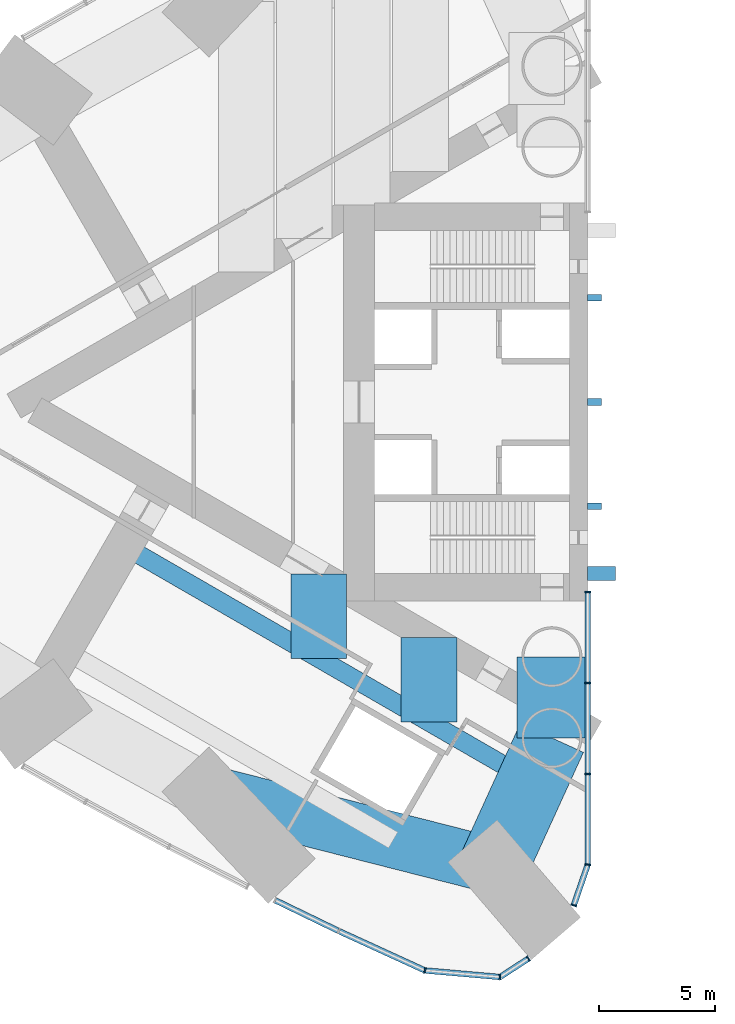
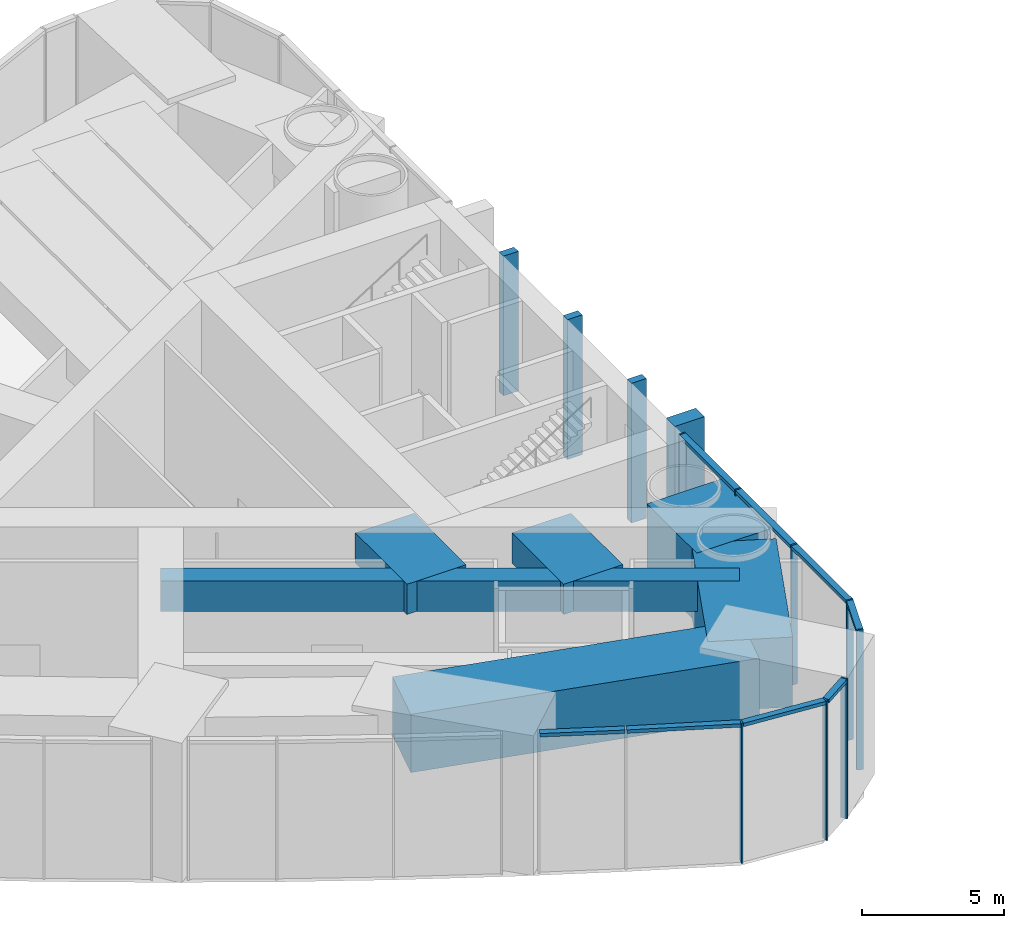
# One storey, part 4 of 16: 20 members, 6 beams, 2 elements without a shape of their own.
"""IFC4 building model written with IfcOpenShell, lengths in metres."""

from ifc_helpers import new_model, si_unit, direction, frame, origin, origin_2d, place, context, subcontext, project, spatial, rectangle, hollow_rectangle, extrude, material, material_profile, profile_set, type_object, element, aggregate, save


model = new_model("IFC4")

# Units and contexts
model_context = context("Model", 3, precision=1e-05, world=origin(), true_north=direction((0.0, 1.0)))
body_context = subcontext(model_context, "Body", "Model", "MODEL_VIEW")
ifc_project = project(units=[si_unit("LENGTHUNIT", "METRE"), si_unit("AREAUNIT", "SQUARE_METRE"), si_unit("VOLUMEUNIT", "CUBIC_METRE"), si_unit("PLANEANGLEUNIT", "RADIAN"), si_unit("MASSUNIT", "GRAM", prefix="KILO")], contexts=[model_context])

# Site, building, storey
site_placement = place(None, origin())
site = spatial("IfcSite", under=ifc_project, at=site_placement, CompositionType="ELEMENT")
building_placement = place(site_placement, origin())
building = spatial("IfcBuilding", under=site, at=building_placement, Name="Lancet Gate Hotel", CompositionType="ELEMENT")
storey_placement = place(building_placement, frame((0.0, 0.0, 146.699951171875)))
storey = spatial("IfcBuildingStorey", under=building, at=storey_placement, Name="L39", CompositionType="ELEMENT", Elevation=146.699951171875)

# Curtain wall, members
ifc_material_1 = material(Name="Aluminium curtain wall", Category="aluminium")
curtain_wall_type = type_object("IfcCurtainWallType", Name="Refuge storey louvred curtain wall", PredefinedType="USERDEFINED", material=ifc_material_1)
curtain_wall_1_placement = place(storey_placement, origin())
curtain_wall_1 = element("IfcCurtainWall", 1, at=curtain_wall_1_placement, inside=storey, type_object=curtain_wall_type, Name="T1 L39 curtain wall 9", ObjectType="LANTERN GLAZING", PredefinedType="USERDEFINED")
ifc_material_2 = material(Name="Aluminium mullion", Category="aluminium")
ifc_material_profile_1 = material_profile(ifc_material_2, rectangle(XDim=0.06494140625, YDim=0.25, at=origin_2d()), Name="MULLION 65x250")
ifc_profile_set_1 = profile_set([ifc_material_profile_1], Name="Aluminium mullion")
member_type_1 = type_object("IfcMemberType", Name="Aluminium mullion 65x250", PredefinedType="MULLION", material=ifc_profile_set_1)
member_1_placement = place(storey_placement, frame((-34.5322265625, -24.53955078125, 0.0), z_axis=(0.0, 0.0, 1.0), x_axis=(0.961653318232, -0.27426792655, 0.0)))
member_1 = element("IfcMember", 2, at=member_1_placement, type_object=member_type_1, Name="T1 L39 curtain wall 9 mullion 3", PredefinedType="MULLION", context=body_context, shape_type="SweptSolid", body=[
    extrude(rectangle(XDim=0.06494140625, YDim=0.25, at=origin_2d()), origin(), (0.0, 0.0, 1.0), 6.0),
])
member_2_placement = place(storey_placement, frame((-31.289306640625, -24.822265625, 0.0), z_axis=(0.0, 0.0, 1.0), x_axis=(0.993425149786, 0.114483500005, 0.0)))
member_2 = element("IfcMember", 3, at=member_2_placement, type_object=member_type_1, Name="T1 L39 curtain wall 9 mullion 4", PredefinedType="MULLION", context=body_context, shape_type="SweptSolid", body=[
    extrude(rectangle(XDim=0.06494140625, YDim=0.25, at=origin_2d()), origin(), (0.0, 0.0, 1.0), 6.0),
])
member_3_placement = place(storey_placement, frame((-30.060791015625, -24.024169921875, 0.0), z_axis=(0.0, 0.0, 1.0), x_axis=(0.838580121261, 0.544778285385, 0.0)))
member_3 = element("IfcMember", 4, at=member_3_placement, type_object=member_type_1, Name="T1 L39 curtain wall 9 mullion 5", PredefinedType="MULLION", context=body_context, shape_type="SweptSolid", body=[
    extrude(rectangle(XDim=0.06494140625, YDim=0.25, at=origin_2d()), origin(), (0.0, 0.0, 1.0), 6.0),
])

curtain_wall_2_placement = place(storey_placement, origin())
curtain_wall_2 = element("IfcCurtainWall", 5, at=curtain_wall_2_placement, inside=storey, type_object=curtain_wall_type, Name="T1 L39 curtain wall 10", ObjectType="LANTERN GLAZING", PredefinedType="USERDEFINED")
member_4_placement = place(storey_placement, frame((-28.104736328125, -21.727783203125, 0.0), z_axis=(0.0, 0.0, 1.0), x_axis=(0.325515820766, 0.945536593914, 0.0)))
member_4 = element("IfcMember", 6, at=member_4_placement, type_object=member_type_1, Name="T1 L39 curtain wall 10 mullion 1", PredefinedType="MULLION", context=body_context, shape_type="SweptSolid", body=[
    extrude(rectangle(XDim=0.06494140625, YDim=0.25, at=origin_2d()), origin(), (0.0, 0.0, 1.0), 6.0),
])
member_5_placement = place(storey_placement, frame((-27.5, -19.97119140625, 0.0), z_axis=(0.0, 0.0, 1.0), x_axis=(0.105863115284, 0.994380712214, 0.0)))
member_5 = element("IfcMember", 7, at=member_5_placement, type_object=member_type_1, Name="T1 L39 curtain wall 10 mullion 2", PredefinedType="MULLION", context=body_context, shape_type="SweptSolid", body=[
    extrude(rectangle(XDim=0.06494140625, YDim=0.25, at=origin_2d()), origin(), (0.0, 0.0, 1.0), 6.0),
])
member_6_placement = place(storey_placement, frame((-27.5, -16.04736328125, 0.0), z_axis=(0.0, 0.0, 1.0), x_axis=(0.0, 1.0, 0.0)))
member_6 = element("IfcMember", 8, at=member_6_placement, type_object=member_type_1, Name="T1 L39 curtain wall 10 mullion 3", PredefinedType="MULLION", context=body_context, shape_type="SweptSolid", body=[
    extrude(rectangle(XDim=0.06494140625, YDim=0.25, at=origin_2d()), origin(), (0.0, 0.0, 1.0), 6.0),
])
member_7_placement = place(storey_placement, frame((-27.5, -12.123779296875, 0.0), z_axis=(0.0, 0.0, 1.0), x_axis=(0.0, 1.0, 0.0)))
member_7 = element("IfcMember", 9, at=member_7_placement, type_object=member_type_1, Name="T1 L39 curtain wall 10 mullion 4", PredefinedType="MULLION", context=body_context, shape_type="SweptSolid", body=[
    extrude(rectangle(XDim=0.06494140625, YDim=0.25, at=origin_2d()), origin(), (0.0, 0.0, 1.0), 6.0),
])
member_8_placement = place(storey_placement, frame((-27.5, -8.199951171875, 0.0), z_axis=(0.0, 0.0, 1.0), x_axis=(0.0, 1.0, 0.0)))
member_8 = element("IfcMember", 10, at=member_8_placement, type_object=member_type_1, Name="T1 L39 curtain wall 10 mullion 5", PredefinedType="MULLION", context=body_context, shape_type="SweptSolid", body=[
    extrude(rectangle(XDim=0.06494140625, YDim=0.25, at=origin_2d()), origin(), (0.0, 0.0, 1.0), 6.0),
])

# Member
ifc_material_3 = material(Name="Aluminium transom", Category="aluminium")
ifc_material_profile_2 = material_profile(ifc_material_3, rectangle(XDim=0.25, YDim=0.14990234375, at=origin_2d()), Name="TRANSOM 250x150")
ifc_profile_set_2 = profile_set([ifc_material_profile_2], Name="Aluminium transom")
member_type_2 = type_object("IfcMemberType", Name="Aluminium transom 250x150", PredefinedType="USERDEFINED", material=ifc_profile_set_2)
member_9_placement = place(storey_placement, frame((-40.97900390625, -21.5166015625, 5.925048828125), z_axis=(0.90008917215, -0.435705728879, 0.0), x_axis=(0.435705728879, 0.90008917215, 0.0)))
member_9 = element("IfcMember", 11, at=member_9_placement, type_object=member_type_2, Name="T1 L39 curtain wall 9 transom 1", ObjectType="TRANSOM", PredefinedType="USERDEFINED", context=body_context, shape_type="SweptSolid", body=[
    extrude(rectangle(XDim=0.25, YDim=0.14990234375, at=origin_2d()), origin(), (0.0, 0.0, 1.0), 2.99658203125),
])

member_10_placement = place(storey_placement, frame((-38.222900390625, -22.849853515625, 5.925048828125), z_axis=(0.909252284196, -0.416245460857, 0.0), x_axis=(0.416245460857, 0.909252284196, 0.0)))
member_10 = element("IfcMember", 12, at=member_10_placement, type_object=member_type_2, Name="T1 L39 curtain wall 9 transom 2", ObjectType="TRANSOM", PredefinedType="USERDEFINED", context=body_context, shape_type="SweptSolid", body=[
    extrude(rectangle(XDim=0.25, YDim=0.14990234375, at=origin_2d()), origin(), (0.0, 0.0, 1.0), 4.026611328125),
])

member_11_placement = place(storey_placement, frame((-34.499755859375, -24.542236328125, 5.925048828125), z_axis=(0.996213545522, -0.086940046686, 0.0), x_axis=(0.086940046686, 0.996213545522, 0.0)))
member_11 = element("IfcMember", 13, at=member_11_placement, type_object=member_type_2, Name="T1 L39 curtain wall 9 transom 3", ObjectType="TRANSOM", PredefinedType="USERDEFINED", context=body_context, shape_type="SweptSolid", body=[
    extrude(rectangle(XDim=0.25, YDim=0.14990234375, at=origin_2d()), origin(), (0.0, 0.0, 1.0), 3.18994140625),
])

member_12_placement = place(storey_placement, frame((-31.261962890625, -24.8046875, 5.925048828125), z_axis=(0.838539234956, 0.544841216723, 0.0), x_axis=(-0.544841216723, 0.838539234956, 0.0)))
member_12 = element("IfcMember", 14, at=member_12_placement, type_object=member_type_2, Name="T1 L39 curtain wall 9 transom 4", ObjectType="TRANSOM", PredefinedType="USERDEFINED", context=body_context, shape_type="SweptSolid", body=[
    extrude(rectangle(XDim=0.25, YDim=0.14990234375, at=origin_2d()), origin(), (0.0, 0.0, 1.0), 1.39990234375),
])

aggregate(curtain_wall_1, [member_1, member_2, member_3, member_9, member_10, member_11, member_12])

member_13_placement = place(storey_placement, frame((-28.09423828125, -21.697021484375, 5.925048828125), z_axis=(0.325566821908, 0.945519034432, 0.0), x_axis=(-0.945519034432, 0.325566821908, 0.0)))
member_13 = element("IfcMember", 15, at=member_13_placement, type_object=member_type_2, Name="T1 L39 curtain wall 10 transom 1", ObjectType="TRANSOM", PredefinedType="USERDEFINED", context=body_context, shape_type="SweptSolid", body=[
    extrude(rectangle(XDim=0.25, YDim=0.14990234375, at=origin_2d()), origin(), (0.0, 0.0, 1.0), 1.79296875),
])

member_14_placement = place(storey_placement, frame((-27.5, -19.9384765625, 5.925048828125), z_axis=(0.0, 1.0, 0.0), x_axis=(-1.0, 0.0, 0.0)))
member_14 = element("IfcMember", 16, at=member_14_placement, type_object=member_type_2, Name="T1 L39 curtain wall 10 transom 2", ObjectType="TRANSOM", PredefinedType="USERDEFINED", context=body_context, shape_type="SweptSolid", body=[
    extrude(rectangle(XDim=0.25, YDim=0.14990234375, at=origin_2d()), origin(), (0.0, 0.0, 1.0), 3.858642578125),
])

member_15_placement = place(storey_placement, frame((-27.5, -16.014892578125, 5.925048828125), z_axis=(0.0, 1.0, 0.0), x_axis=(-1.0, 0.0, 0.0)))
member_15 = element("IfcMember", 17, at=member_15_placement, type_object=member_type_2, Name="T1 L39 curtain wall 10 transom 3", ObjectType="TRANSOM", PredefinedType="USERDEFINED", context=body_context, shape_type="SweptSolid", body=[
    extrude(rectangle(XDim=0.25, YDim=0.14990234375, at=origin_2d()), origin(), (0.0, 0.0, 1.0), 3.858642578125),
])

member_16_placement = place(storey_placement, frame((-27.5, -12.09130859375, 5.925048828125), z_axis=(0.0, 1.0, 0.0), x_axis=(-1.0, 0.0, 0.0)))
member_16 = element("IfcMember", 18, at=member_16_placement, type_object=member_type_2, Name="T1 L39 curtain wall 10 transom 4", ObjectType="TRANSOM", PredefinedType="USERDEFINED", context=body_context, shape_type="SweptSolid", body=[
    extrude(rectangle(XDim=0.25, YDim=0.14990234375, at=origin_2d()), origin(), (0.0, 0.0, 1.0), 3.85888671875),
])

aggregate(curtain_wall_2, [member_4, member_5, member_6, member_7, member_8, member_13, member_14, member_15, member_16])

# Members
ifc_material_4 = material(Name="Concrete C60/75", Category="concrete")
ifc_material_profile_3 = material_profile(ifc_material_4, rectangle(XDim=0.60009765625, YDim=1.199951171875, at=origin_2d()), Name="FIN 600x1200")
ifc_profile_set_3 = profile_set([ifc_material_profile_3], Name="Concrete C60/75")
member_type_3 = type_object("IfcMemberType", Name="Exposed concrete buttress pilaster 600x1200", PredefinedType="USERDEFINED", material=ifc_profile_set_3)
member_17_placement = place(storey_placement, frame((-26.909912109375, -7.39990234375, 0.0), z_axis=(0.0, 0.0, 1.0), x_axis=(0.0, 1.0, 0.0)))
element("IfcMember", 19, at=member_17_placement, inside=storey, type_object=member_type_3, Name="T1 buttress pilaster N L39", ObjectType="FIN", PredefinedType="USERDEFINED", context=body_context, shape_type="SweptSolid", body=[
    extrude(rectangle(XDim=0.60009765625, YDim=1.199951171875, at=origin_2d()), origin(), (0.0, 0.0, 1.0), 6.0),
])
ifc_material_5 = material(Name="Concrete C60/75", Category="concrete")
ifc_material_profile_4 = material_profile(ifc_material_5, rectangle(XDim=0.300048828125, YDim=0.60009765625, at=origin_2d()), Name="FIN 300x600")
ifc_profile_set_4 = profile_set([ifc_material_profile_4], Name="Concrete C60/75")
member_type_4 = type_object("IfcMemberType", Name="Exposed concrete rib 300x600", PredefinedType="USERDEFINED", material=ifc_profile_set_4)
for number, where, z_axis, x_axis, name in (
    (20, (-27.2099609375, 4.5, 0.0), (0.0, 0.0, 1.0), (0.0, 1.0, 0.0), "T1 core rib 1 L39"),
    (21, (-27.2099609375, 0.0, 0.0), (0.0, 0.0, 1.0), (0.0, 1.0, 0.0), "T1 core rib 2 L39"),
    (22, (-27.2099609375, -4.5, 0.0), (0.0, 0.0, 1.0), (0.0, 1.0, 0.0), "T1 core rib 3 L39"),
):
    element("IfcMember", number, at=place(storey_placement, frame(where, z_axis=z_axis, x_axis=x_axis)), inside=storey, type_object=member_type_4, Name=name, ObjectType="FIN", PredefinedType="USERDEFINED", context=body_context, shape_type="SweptSolid", body=[
        extrude(rectangle(XDim=0.300048828125, YDim=0.60009765625, at=origin_2d()), origin(), (0.0, 0.0, 1.0), 6.0),
    ])

# Beams
ifc_material_6 = material(Name="Concrete C50/60", Category="concrete")
ifc_material_profile_5 = material_profile(ifc_material_6, rectangle(XDim=2.39990234375, YDim=1.300048828125, at=origin_2d()), Name="RC 2400x1300")
ifc_profile_set_5 = profile_set([ifc_material_profile_5], Name="Concrete C50/60")
beam_type_1 = type_object("IfcBeamType", Name="Floor beam RC 2400x1300", PredefinedType="BEAM", material=ifc_profile_set_5)
beam_1_placement = place(storey_placement, frame((-34.353515625, -10.169921875, 5.10009765625), z_axis=(0.0, -1.0, 0.0), x_axis=(1.0, 0.0, 0.0)))
element("IfcBeam", 23, at=beam_1_placement, inside=storey, type_object=beam_type_1, Name="T1 floor beam F02NA L39", PredefinedType="BEAM", context=body_context, shape_type="SweptSolid", body=[
    extrude(rectangle(XDim=2.39990234375, YDim=1.300048828125, at=origin_2d()), origin(), (0.0, 0.0, 1.0), 3.645751953125),
])
beam_2_placement = place(storey_placement, frame((-39.122314453125, -7.41650390625, 5.10009765625), z_axis=(0.0, -1.0, 0.0), x_axis=(1.0, 0.0, 0.0)))
element("IfcBeam", 24, at=beam_2_placement, inside=storey, type_object=beam_type_1, Name="T1 floor beam F05NA L39", PredefinedType="BEAM", context=body_context, shape_type="SweptSolid", body=[
    extrude(rectangle(XDim=2.39990234375, YDim=1.300048828125, at=origin_2d()), origin(), (0.0, 0.0, 1.0), 3.64599609375),
])
ifc_material_7 = material(Name="Concrete C50/60", Category="concrete")
ifc_material_profile_6 = material_profile(ifc_material_7, rectangle(XDim=2.39990234375, YDim=2.5, at=origin_2d()), Name="RC 2400x2500")
ifc_profile_set_6 = profile_set([ifc_material_profile_6], Name="Concrete C50/60")
beam_type_2 = type_object("IfcBeamType", Name="Tie ring beam RC 2400x2500", PredefinedType="SPANDREL", material=ifc_profile_set_6)
beam_3_placement = place(storey_placement, frame((-43.900390625, -16.871337890625, 4.5), z_axis=(0.969008414312, -0.247027717052, 0.0), x_axis=(0.247027717052, 0.969008414312, 0.0)))
element("IfcBeam", 25, at=beam_3_placement, inside=storey, type_object=beam_type_2, Name="T1 tie ring beam RG1 L39", PredefinedType="SPANDREL", context=body_context, shape_type="SweptSolid", body=[
    extrude(rectangle(XDim=2.39990234375, YDim=2.5, at=origin_2d()), origin(), (0.0, 0.0, 1.0), 12.7294921875),
])
ifc_material_8 = material(Name="Concrete C50/60", Category="concrete")
ifc_material_profile_7 = material_profile(ifc_material_8, rectangle(XDim=3.0, YDim=3.0, at=origin_2d()), Name="RC 3000x3000")
ifc_profile_set_7 = profile_set([ifc_material_profile_7], Name="Concrete C50/60")
beam_type_3 = type_object("IfcBeamType", Name="Tie ring beam RC 3000x3000", PredefinedType="SPANDREL", material=ifc_profile_set_7)
beam_4_placement = place(storey_placement, frame((-29.050048828125, -11.0, 4.25), z_axis=(0.0, -1.0, 0.0), x_axis=(1.0, 0.0, 0.0)))
element("IfcBeam", 26, at=beam_4_placement, inside=storey, type_object=beam_type_3, Name="T1 tie ring beam RG4 L39", PredefinedType="SPANDREL", context=body_context, shape_type="SweptSolid", body=[
    extrude(rectangle(XDim=3.0, YDim=3.0, at=origin_2d()), origin(), (0.0, 0.0, 1.0), 3.5),
])
beam_5_placement = place(storey_placement, frame((-29.050048828125, -14.5, 4.25), z_axis=(-0.414919206993, -0.909858259109, 0.0), x_axis=(0.909858259109, -0.414919206993, 0.0)))
element("IfcBeam", 27, at=beam_5_placement, inside=storey, type_object=beam_type_3, Name="T1 tie ring beam RG4 L39", PredefinedType="SPANDREL", context=body_context, shape_type="SweptSolid", body=[
    extrude(rectangle(XDim=3.0, YDim=3.0, at=origin_2d()), origin(), (0.0, 0.0, 1.0), 6.062255859375),
])
ifc_material_9 = material(Name="Steel S460QL", Category="steel")
ifc_material_profile_8 = material_profile(ifc_material_9, hollow_rectangle(XDim=0.800048828125, YDim=1.300048828125, WallThickness=0.080078125, at=origin_2d()), Name="BOX 1300x800x80")
ifc_profile_set_8 = profile_set([ifc_material_profile_8], Name="Steel S460QL")
beam_type_4 = type_object("IfcBeamType", Name="Trimmer beam BOX 1300x800x80", PredefinedType="BEAM", material=ifc_profile_set_8)
beam_6_placement = place(storey_placement, frame((-29.908203125, -16.3818359375, 5.10009765625), z_axis=(-0.866043498462, 0.49996865779, 0.0), x_axis=(-0.49996865779, -0.866043498462, 0.0)))
element("IfcBeam", 28, at=beam_6_placement, inside=storey, type_object=beam_type_4, Name="T1 trimmer beam TR01N L39", PredefinedType="BEAM", context=body_context, shape_type="SweptSolid", body=[
    extrude(hollow_rectangle(XDim=0.800048828125, YDim=1.300048828125, WallThickness=0.080078125, at=origin_2d()), origin(), (0.0, 0.0, 1.0), 20.343505859375),
])

save(model, "model.ifc")
